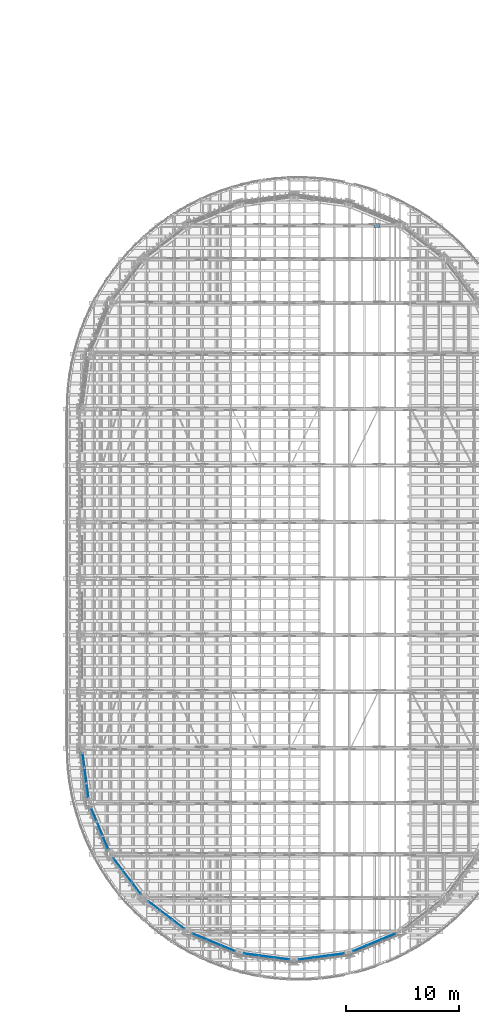
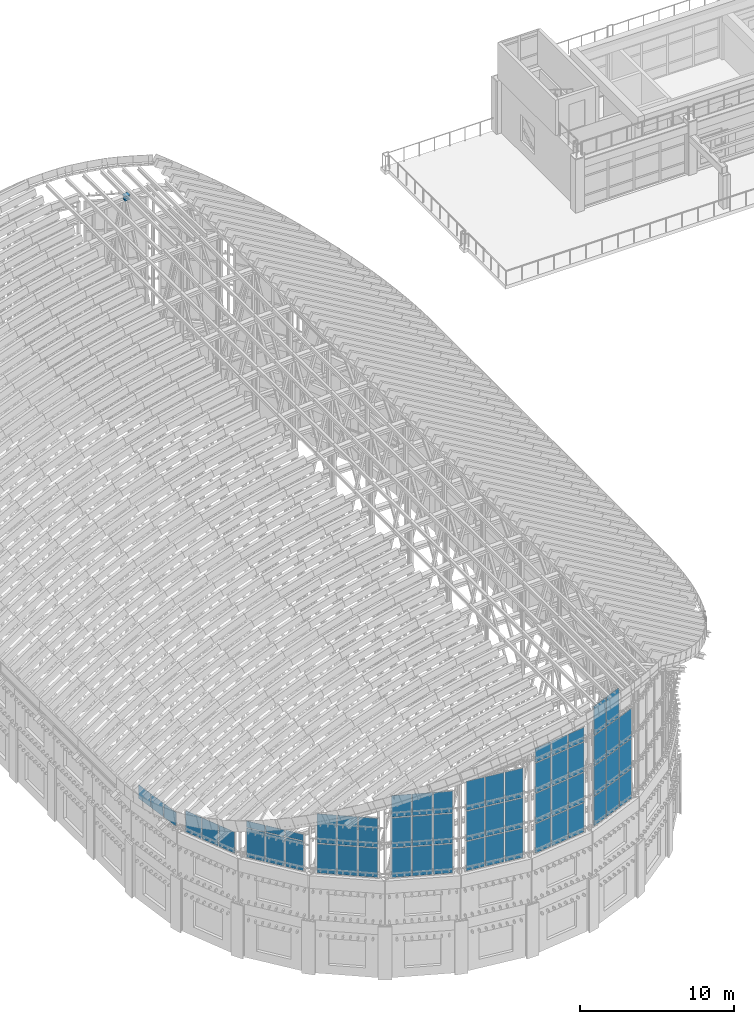
# One storey, part 46 of 105: 59 plates, 1 member, 8 elements without a shape of their own.
"""IFC4 building model written with IfcOpenShell, lengths in metres."""

import ifcopenshell
import ifcopenshell.guid

model = None  # the IFC model being written
_history = None  # IfcOwnerHistory: only IFC2X3 demands one
_inside = {}  # id of a spatial element -> (the spatial element, [elements in it])
_under = {}  # id of a project, library or spatial element -> (it, [spatial elements below it])
_declared = {}  # id of a project -> (the project, [libraries it declares])
_typed = {}  # id of a type object -> (the type object, [elements of that type])
_made_of = {}  # id of a material, layer set ... -> (it, [elements and type objects made of it])


def new_model(schema):
    """Start an empty IFC model of exactly this schema.

    Asked for "IFC4X3", IfcOpenShell would pick the latest addendum, in which some entities
    have other attributes; the version numbers below select the first issue.
    IFC2X3 requires an IfcOwnerHistory on every rooted entity: one is made here for all.
    """
    global model, _history
    if schema == "IFC4X3":
        model = ifcopenshell.file(schema_version=(4, 3, 0, 0))
    else:
        model = ifcopenshell.file(schema=schema)
    _inside.clear()
    _under.clear()
    _declared.clear()
    _typed.clear()
    _made_of.clear()
    _history = None
    if model.schema == "IFC2X3":
        org = make("IfcOrganization", Name="unknown")
        user = make(
            "IfcPersonAndOrganization",
            ThePerson=make("IfcPerson", FamilyName="unknown"),
            TheOrganization=org,
        )
        app = make(
            "IfcApplication",
            ApplicationDeveloper=org,
            Version="unknown",
            ApplicationFullName="unknown",
            ApplicationIdentifier="unknown",
        )
        _history = make(
            "IfcOwnerHistory",
            OwningUser=user,
            OwningApplication=app,
            ChangeAction="ADDED",
            CreationDate=0,
        )
    return model


def make(cls, **values):
    """One entity of the class cls with the attributes given. An attribute that is None is left unset."""
    return model.create_entity(
        cls, **{name: value for name, value in values.items() if value is not None}
    )


def rooted(cls, **values):
    """An entity with a GlobalId (a new one), such as an element, a storey or a relation."""
    return make(cls, GlobalId=ifcopenshell.guid.new(), OwnerHistory=_history, **values)


def si_unit(unit_type, name, prefix=None):
    """IfcSIUnit, for example si_unit("LENGTHUNIT", "METRE", prefix="MILLI")."""
    return make("IfcSIUnit", UnitType=unit_type, Prefix=prefix, Name=name)


def assignment(units):
    """IfcUnitAssignment: the units of a project."""
    return None if units is None else make("IfcUnitAssignment", Units=units)


def point(xyz):
    """IfcCartesianPoint."""
    return None if xyz is None else make("IfcCartesianPoint", Coordinates=xyz)


def direction(xyz):
    """IfcDirection."""
    return None if xyz is None else make("IfcDirection", DirectionRatios=xyz)


def frame(location, z_axis=None, x_axis=None):
    """IfcAxis2Placement3D, a coordinate frame: its origin and axes. An axis left out is left unset."""
    return make(
        "IfcAxis2Placement3D",
        Location=point(location),
        Axis=direction(z_axis),
        RefDirection=direction(x_axis),
    )


def frame_2d(location, x_axis=None):
    """IfcAxis2Placement2D, a coordinate frame in the plane: its origin and x axis."""
    return make(
        "IfcAxis2Placement2D", Location=point(location), RefDirection=direction(x_axis)
    )


def origin():
    """The frame at (0, 0, 0) with its axes left unset."""
    return frame((0.0, 0.0, 0.0))


def origin_2d():
    """The frame at (0, 0) in the plane with its x axis left unset."""
    return frame_2d((0.0, 0.0))


def place(relative_to, where):
    """IfcLocalPlacement: puts the frame where relative to a parent placement (None: the world)."""
    return make(
        "IfcLocalPlacement", PlacementRelTo=relative_to, RelativePlacement=where
    )


def context(
    kind, dimensions, precision=None, world=None, true_north=None, identifier=None
):
    """IfcGeometricRepresentationContext, for example the 3D "Model" context."""
    return make(
        "IfcGeometricRepresentationContext",
        ContextIdentifier=identifier,
        ContextType=kind,
        CoordinateSpaceDimension=dimensions,
        Precision=precision,
        WorldCoordinateSystem=world,
        TrueNorth=true_north,
    )


def subcontext(parent, identifier, kind, view, scale=None):
    """IfcGeometricRepresentationSubContext, for example "Body" below "Model"."""
    return make(
        "IfcGeometricRepresentationSubContext",
        ContextIdentifier=identifier,
        ContextType=kind,
        ParentContext=parent,
        TargetScale=scale,
        TargetView=view,
    )


def project(units=None, contexts=None):
    """IfcProject with its units and contexts."""
    return rooted(
        "IfcProject",
        Name="project",
        RepresentationContexts=contexts,
        UnitsInContext=assignment(units),
    )


def spatial(cls, under=None, at=None, **own):
    """A site, building, storey or space (cls), placed at a placement, below another one or the project."""
    s = rooted(cls, ObjectPlacement=at, **own)
    if under is not None:
        _under.setdefault(under.id(), (under, []))[1].append(s)
    return s


def profile(cls, at=None, kind="AREA", **sizes):
    """A parametric profile (cls). Its sizes go by their IFC names, for example OverallWidth=200.0."""
    return make(cls, ProfileType=kind, Position=at, **sizes)


def rectangle(**sizes):
    """IfcRectangleProfileDef."""
    return profile("IfcRectangleProfileDef", **sizes)


def i_section(**sizes):
    """IfcIShapeProfileDef."""
    return profile("IfcIShapeProfileDef", **sizes)


def extrude(swept, where, along, depth):
    """IfcExtrudedAreaSolid: the profile swept, set in the frame where, extruded along a direction by depth."""
    return make(
        "IfcExtrudedAreaSolid",
        SweptArea=swept,
        Position=where,
        ExtrudedDirection=direction(along),
        Depth=depth,
    )


def shape(context_of_items, identifier, shape_type, items):
    """IfcShapeRepresentation: the items that make up one representation, for example the "Body"."""
    return make(
        "IfcShapeRepresentation",
        ContextOfItems=context_of_items,
        RepresentationIdentifier=identifier,
        RepresentationType=shape_type,
        Items=items,
    )


def material(Name=None, Category=None):
    """IfcMaterial."""
    return make("IfcMaterial", Name=Name, Category=Category)


def layer(
    of_material, thickness, ventilated=None, Name=None, Category=None, Priority=None
):
    """IfcMaterialLayer: one layer of a wall or slab, of a material (None: an air gap)."""
    return make(
        "IfcMaterialLayer",
        Material=of_material,
        LayerThickness=thickness,
        IsVentilated=ventilated,
        Name=Name,
        Category=Category,
        Priority=Priority,
    )


def layer_set(layers, Name=None):
    """IfcMaterialLayerSet."""
    return make("IfcMaterialLayerSet", MaterialLayers=layers, LayerSetName=Name)


def material_profile(
    of_material, cross_section, Name=None, Category=None, Priority=None
):
    """IfcMaterialProfile: a cross section and its material."""
    return make(
        "IfcMaterialProfile",
        Name=Name,
        Material=of_material,
        Profile=cross_section,
        Priority=Priority,
        Category=Category,
    )


def profile_set(profiles, Name=None, composite=None):
    """IfcMaterialProfileSet."""
    return make(
        "IfcMaterialProfileSet",
        Name=Name,
        MaterialProfiles=profiles,
        CompositeProfile=composite,
    )


def made_of(thing, what):
    """Note that an element or type object is made of a material, layer set ...; save() writes the relation."""
    if what is not None:
        _made_of.setdefault(what.id(), (what, []))[1].append(thing)
    return thing


def type_object(cls, material=None, **own):
    """A type object (cls), such as IfcWallType, which elements share."""
    return made_of(rooted(cls, **own), material)


def element(
    cls,
    number,
    at=None,
    inside=None,
    cuts=None,
    type_object=None,
    material=None,
    context=None,
    identifier="Body",
    shape_type=None,
    held_by="IfcProductDefinitionShape",
    body=None,
    shapes=None,
    **own,
):
    """One element of the class cls, such as IfcWall. Its Tag is "e" and its number.

    at: its placement. inside: the storey or other place that contains it. cuts: it is an
    opening in that element (IfcRelVoidsElement). A single representation is given by context,
    identifier, shape_type and body (its items); several are given by shapes. held_by: the class
    of the entity that holds the representations. save() writes the other relations.
    """
    e = rooted(cls, Tag="e%d" % number, ObjectPlacement=at, **own)
    if body is not None:
        shapes = [shape(context, identifier, shape_type, body)]
    if shapes is not None:
        e.Representation = make(held_by, Representations=shapes)
    if inside is not None:
        _inside.setdefault(inside.id(), (inside, []))[1].append(e)
    if cuts is not None:
        rooted(
            "IfcRelVoidsElement", RelatingBuildingElement=cuts, RelatedOpeningElement=e
        )
    if type_object is not None:
        _typed.setdefault(type_object.id(), (type_object, []))[1].append(e)
    return made_of(e, material)


def aggregate(whole, parts):
    """IfcRelAggregates: a whole, such as a stair, and the parts it consists of."""
    return rooted("IfcRelAggregates", RelatingObject=whole, RelatedObjects=parts)


def save(model, path):
    """Write the relations noted so far, then the file.

    IfcRelAggregates (storeys below a building ...), IfcRelContainedInSpatialStructure (elements
    in a storey), IfcRelDefinesByType, IfcRelAssociatesMaterial and IfcRelDeclares: one each for
    every whole, place, type object, material and project.
    """
    for whole, parts in _under.values():
        aggregate(whole, parts)
    for where, things in _inside.values():
        rooted(
            "IfcRelContainedInSpatialStructure",
            RelatedElements=things,
            RelatingStructure=where,
        )
    for kind, things in _typed.values():
        rooted("IfcRelDefinesByType", RelatedObjects=things, RelatingType=kind)
    for what, things in _made_of.values():
        rooted("IfcRelAssociatesMaterial", RelatedObjects=things, RelatingMaterial=what)
    for by, libraries in _declared.values():
        rooted("IfcRelDeclares", RelatingContext=by, RelatedDefinitions=libraries)
    model.write(path)


model = new_model("IFC4")

# Units and contexts
model_context = context("Model", 3, precision=1e-05, world=origin(), true_north=direction((0.0, 1.0)))
body_context = subcontext(model_context, "Body", "Model", "MODEL_VIEW")
ifc_project = project(units=[si_unit("LENGTHUNIT", "METRE"), si_unit("AREAUNIT", "SQUARE_METRE"), si_unit("VOLUMEUNIT", "CUBIC_METRE"), si_unit("PLANEANGLEUNIT", "RADIAN"), si_unit("MASSUNIT", "GRAM", prefix="KILO")], contexts=[model_context])

# Site, building, storey
site_placement = place(None, origin())
site = spatial("IfcSite", under=ifc_project, at=site_placement, CompositionType="ELEMENT")
building_placement = place(site_placement, origin())
building = spatial("IfcBuilding", under=site, at=building_placement, Name="Wasatch Bagh Community Centre", CompositionType="ELEMENT")
storey_placement = place(building_placement, frame((0.0, 0.0, 16.800048828125)))
storey = spatial("IfcBuildingStorey", under=building, at=storey_placement, Name="L04", CompositionType="ELEMENT", Elevation=16.800048828125)

# Member
ifc_material_1 = material(Name="ASTM A992 Grade 50 steel", Category="steel")
ifc_material_profile = material_profile(ifc_material_1, i_section(OverallWidth=0.368408203125, OverallDepth=0.355712890625, WebThickness=0.01123046875, FlangeThickness=0.01806640625, at=origin_2d()), Name="W14x90")
ifc_profile_set = profile_set([ifc_material_profile], Name="ASTM A992 Grade 50 steel")
member_type = type_object("IfcMemberType", Name="W14x90 chord", PredefinedType="CHORD", material=ifc_profile_set)
member_placement = place(storey_placement, frame((43.132568359375, 81.238037109375, 17.918701171875), z_axis=(0.99696007093, 0.0, 0.077914164129), x_axis=(0.0, 1.0, 0.0)))
element("IfcMember", 1, at=member_placement, inside=storey, type_object=member_type, Name="MH.TN4.TC10", PredefinedType="CHORD", context=body_context, shape_type="SweptSolid", body=[
    extrude(i_section(OverallWidth=0.368408203125, OverallDepth=0.355712890625, WebThickness=0.01123046875, FlangeThickness=0.01806640625, at=origin_2d()), origin(), (0.0, 0.0, 1.0), 0.42919921875),
])

# Curtain wall, plates
ifc_material_2 = material(Name="Aluminium curtain wall frame with low-iron glass", Category="aluminium")
ifc_layer_1 = layer(ifc_material_2, 0.10009765625)
ifc_layer_set_1 = layer_set([ifc_layer_1], Name="Aluminium curtain wall frame with low-iron glass")
curtain_wall_type_1 = type_object("IfcCurtainWallType", Name="MH end screen curtain wall 1", PredefinedType="NOTDEFINED", material=ifc_layer_set_1)
curtain_wall_1_placement = place(storey_placement, origin())
curtain_wall_1 = element("IfcCurtainWall", 2, at=curtain_wall_1_placement, inside=storey, type_object=curtain_wall_type_1, Name="End screen 1", PredefinedType="NOTDEFINED")
ifc_material_3 = material(Name="Low-iron insulated glass", Category="glass")
ifc_layer_2 = layer(ifc_material_3, 0.028076171875)
ifc_layer_set_2 = layer_set([ifc_layer_2], Name="Low-iron insulated glass")
plate_type_1 = type_object("IfcPlateType", Name="MH end screen panel 28", PredefinedType="CURTAIN_PANEL", material=ifc_layer_set_2)
plate_1_placement = place(storey_placement, frame((17.39208984375, 33.9208984375, 7.760009765625), z_axis=(0.0, 0.0, 1.0), x_axis=(0.13052619222, -0.991444861374, 0.0)))
plate_1 = element("IfcPlate", 3, at=plate_1_placement, type_object=plate_type_1, Name="MH-CW1 panel 1.1", PredefinedType="CURTAIN_PANEL", context=body_context, shape_type="SweptSolid", body=[
    extrude(rectangle(XDim=1.283935546875, YDim=0.028076171875, at=origin_2d()), origin(), (0.0, 0.0, 1.0), 1.080078125),
])
plate_2_placement = place(storey_placement, frame((17.5693359375, 32.573486328125, 7.760009765625), z_axis=(0.0, 0.0, 1.0), x_axis=(0.13052619222, -0.991444861374, 0.0)))
plate_2 = element("IfcPlate", 4, at=plate_2_placement, type_object=plate_type_1, Name="MH-CW1 panel 2.1", PredefinedType="CURTAIN_PANEL", context=body_context, shape_type="SweptSolid", body=[
    extrude(rectangle(XDim=1.31396484375, YDim=0.028076171875, at=origin_2d()), origin(), (0.0, 0.0, 1.0), 1.080078125),
])

# Curtain wall, plate
ifc_layer_3 = layer(ifc_material_2, 0.10009765625)
ifc_layer_set_3 = layer_set([ifc_layer_3], Name="Aluminium curtain wall frame with low-iron glass")
curtain_wall_type_2 = type_object("IfcCurtainWallType", Name="MH end screen curtain wall 2", PredefinedType="NOTDEFINED", material=ifc_layer_set_3)
curtain_wall_2_placement = place(storey_placement, origin())
curtain_wall_2 = element("IfcCurtainWall", 5, at=curtain_wall_2_placement, inside=storey, type_object=curtain_wall_type_2, Name="End screen 2", PredefinedType="NOTDEFINED")
plate_3_placement = place(storey_placement, frame((18.825439453125, 27.885986328125, 7.759765625), z_axis=(0.0, 0.0, 1.0), x_axis=(0.382683432188, -0.923879532585, 0.0)))
plate_3 = element("IfcPlate", 6, at=plate_3_placement, type_object=plate_type_1, Name="MH-CW2 panel 2.1", PredefinedType="CURTAIN_PANEL", context=body_context, shape_type="SweptSolid", body=[
    extrude(rectangle(XDim=1.31396484375, YDim=0.028076171875, at=origin_2d()), origin(), (0.0, 0.0, 1.0), 1.679931640625),
])

# Curtain wall, plates
ifc_layer_4 = layer(ifc_material_2, 0.10009765625)
ifc_layer_set_4 = layer_set([ifc_layer_4], Name="Aluminium curtain wall frame with low-iron glass")
curtain_wall_type_3 = type_object("IfcCurtainWallType", Name="MH end screen curtain wall 3", PredefinedType="NOTDEFINED", material=ifc_layer_set_4)
curtain_wall_3_placement = place(storey_placement, origin())
curtain_wall_3 = element("IfcCurtainWall", 7, at=curtain_wall_3_placement, inside=storey, type_object=curtain_wall_type_3, Name="End screen 3", PredefinedType="NOTDEFINED")
plate_4_placement = place(storey_placement, frame((21.251953125, 23.683349609375, 7.760009765625), z_axis=(0.0, 0.0, 1.0), x_axis=(0.608761429036, -0.79335334027, 0.0)))
plate_4 = element("IfcPlate", 8, at=plate_4_placement, type_object=plate_type_1, Name="MH-CW3 panel 2.1", PredefinedType="CURTAIN_PANEL", context=body_context, shape_type="SweptSolid", body=[
    extrude(rectangle(XDim=1.31396484375, YDim=0.028076171875, at=origin_2d()), origin(), (0.0, 0.0, 1.0), 2.31005859375),
])
plate_5_placement = place(storey_placement, frame((21.251953125, 23.683349609375, 10.1298828125), z_axis=(0.0, 0.0, 1.0), x_axis=(0.608761429036, -0.79335334027, 0.0)))
plate_5 = element("IfcPlate", 9, at=plate_5_placement, type_object=plate_type_1, Name="MH-CW3 panel 2.2", PredefinedType="CURTAIN_PANEL", context=body_context, shape_type="SweptSolid", body=[
    extrude(rectangle(XDim=1.31396484375, YDim=0.028076171875, at=origin_2d()), origin(), (0.0, 0.0, 1.0), 0.510009765625),
])

# Curtain wall, plate
ifc_layer_5 = layer(ifc_material_2, 0.10009765625)
ifc_layer_set_5 = layer_set([ifc_layer_5], Name="Aluminium curtain wall frame with low-iron glass")
curtain_wall_type_4 = type_object("IfcCurtainWallType", Name="MH end screen curtain wall 4", PredefinedType="NOTDEFINED", material=ifc_layer_set_5)
curtain_wall_4_placement = place(storey_placement, origin())
curtain_wall_4 = element("IfcCurtainWall", 10, at=curtain_wall_4_placement, inside=storey, type_object=curtain_wall_type_4, Name="End screen 4", PredefinedType="NOTDEFINED")
plate_6_placement = place(storey_placement, frame((24.683349609375, 20.251953125, 7.760009765625), z_axis=(0.0, 0.0, 1.0), x_axis=(0.79335334027, -0.608761429036, 0.0)))
plate_6 = element("IfcPlate", 11, at=plate_6_placement, type_object=plate_type_1, Name="MH-CW4 panel 2.1", PredefinedType="CURTAIN_PANEL", context=body_context, shape_type="SweptSolid", body=[
    extrude(rectangle(XDim=1.31396484375, YDim=0.028076171875, at=origin_2d()), origin(), (0.0, 0.0, 1.0), 2.31005859375),
])

# Curtain wall, plates
ifc_layer_6 = layer(ifc_material_2, 0.10009765625)
ifc_layer_set_6 = layer_set([ifc_layer_6], Name="Aluminium curtain wall frame with low-iron glass")
curtain_wall_type_5 = type_object("IfcCurtainWallType", Name="MH end screen curtain wall 6", PredefinedType="NOTDEFINED", material=ifc_layer_set_6)
curtain_wall_5_placement = place(storey_placement, origin())
curtain_wall_5 = element("IfcCurtainWall", 12, at=curtain_wall_5_placement, inside=storey, type_object=curtain_wall_type_5, Name="End screen 6", PredefinedType="NOTDEFINED")
plate_7_placement = place(storey_placement, frame((32.226318359375, 16.746826171875, 7.760009765625), z_axis=(0.0, 0.0, 1.0), x_axis=(0.991444861374, -0.13052619222, 0.0)))
plate_7 = element("IfcPlate", 13, at=plate_7_placement, type_object=plate_type_1, Name="MH-CW6 panel 1.1", PredefinedType="CURTAIN_PANEL", context=body_context, shape_type="SweptSolid", body=[
    extrude(rectangle(XDim=1.283935546875, YDim=0.028076171875, at=origin_2d()), origin(), (0.0, 0.0, 1.0), 2.31005859375),
])
plate_8_placement = place(storey_placement, frame((32.226318359375, 16.746826171875, 10.1298828125), z_axis=(0.0, 0.0, 1.0), x_axis=(0.991444861374, -0.13052619222, 0.0)))
plate_8 = element("IfcPlate", 14, at=plate_8_placement, type_object=plate_type_1, Name="MH-CW6 panel 1.2", PredefinedType="CURTAIN_PANEL", context=body_context, shape_type="SweptSolid", body=[
    extrude(rectangle(XDim=1.283935546875, YDim=0.028076171875, at=origin_2d()), origin(), (0.0, 0.0, 1.0), 2.340087890625),
])
plate_9_placement = place(storey_placement, frame((32.226318359375, 16.746826171875, 12.530029296875), z_axis=(0.0, 0.0, 1.0), x_axis=(0.991444861374, -0.13052619222, 0.0)))
plate_9 = element("IfcPlate", 15, at=plate_9_placement, type_object=plate_type_1, Name="MH-CW6 panel 1.3", PredefinedType="CURTAIN_PANEL", context=body_context, shape_type="SweptSolid", body=[
    extrude(rectangle(XDim=1.283935546875, YDim=0.028076171875, at=origin_2d()), origin(), (0.0, 0.0, 1.0), 2.31005859375),
])
plate_10_placement = place(storey_placement, frame((33.573486328125, 16.5693359375, 7.760009765625), z_axis=(0.0, 0.0, 1.0), x_axis=(0.991444861374, -0.13052619222, 0.0)))
plate_10 = element("IfcPlate", 16, at=plate_10_placement, type_object=plate_type_1, Name="MH-CW6 panel 2.1", PredefinedType="CURTAIN_PANEL", context=body_context, shape_type="SweptSolid", body=[
    extrude(rectangle(XDim=1.31396484375, YDim=0.028076171875, at=origin_2d()), origin(), (0.0, 0.0, 1.0), 2.31005859375),
])
plate_11_placement = place(storey_placement, frame((33.573486328125, 16.5693359375, 10.1298828125), z_axis=(0.0, 0.0, 1.0), x_axis=(0.991444861374, -0.13052619222, 0.0)))
plate_11 = element("IfcPlate", 17, at=plate_11_placement, type_object=plate_type_1, Name="MH-CW6 panel 2.2", PredefinedType="CURTAIN_PANEL", context=body_context, shape_type="SweptSolid", body=[
    extrude(rectangle(XDim=1.31396484375, YDim=0.028076171875, at=origin_2d()), origin(), (0.0, 0.0, 1.0), 2.340087890625),
])
plate_12_placement = place(storey_placement, frame((33.573486328125, 16.5693359375, 12.530029296875), z_axis=(0.0, 0.0, 1.0), x_axis=(0.991444861374, -0.13052619222, 0.0)))
plate_12 = element("IfcPlate", 18, at=plate_12_placement, type_object=plate_type_1, Name="MH-CW6 panel 2.3", PredefinedType="CURTAIN_PANEL", context=body_context, shape_type="SweptSolid", body=[
    extrude(rectangle(XDim=1.31396484375, YDim=0.028076171875, at=origin_2d()), origin(), (0.0, 0.0, 1.0), 2.31005859375),
])
plate_13_placement = place(storey_placement, frame((34.9208984375, 16.39208984375, 7.760009765625), z_axis=(0.0, 0.0, 1.0), x_axis=(0.991444861374, -0.13052619222, 0.0)))
plate_13 = element("IfcPlate", 19, at=plate_13_placement, type_object=plate_type_1, Name="MH-CW6 panel 3.1", PredefinedType="CURTAIN_PANEL", context=body_context, shape_type="SweptSolid", body=[
    extrude(rectangle(XDim=1.283935546875, YDim=0.028076171875, at=origin_2d()), origin(), (0.0, 0.0, 1.0), 2.31005859375),
])
plate_14_placement = place(storey_placement, frame((34.9208984375, 16.39208984375, 10.1298828125), z_axis=(0.0, 0.0, 1.0), x_axis=(0.991444861374, -0.13052619222, 0.0)))
plate_14 = element("IfcPlate", 20, at=plate_14_placement, type_object=plate_type_1, Name="MH-CW6 panel 3.2", PredefinedType="CURTAIN_PANEL", context=body_context, shape_type="SweptSolid", body=[
    extrude(rectangle(XDim=1.283935546875, YDim=0.028076171875, at=origin_2d()), origin(), (0.0, 0.0, 1.0), 2.340087890625),
])
plate_15_placement = place(storey_placement, frame((34.9208984375, 16.39208984375, 12.530029296875), z_axis=(0.0, 0.0, 1.0), x_axis=(0.991444861374, -0.13052619222, 0.0)))
plate_15 = element("IfcPlate", 21, at=plate_15_placement, type_object=plate_type_1, Name="MH-CW6 panel 3.3", PredefinedType="CURTAIN_PANEL", context=body_context, shape_type="SweptSolid", body=[
    extrude(rectangle(XDim=1.283935546875, YDim=0.028076171875, at=origin_2d()), origin(), (0.0, 0.0, 1.0), 2.31005859375),
])
aggregate(curtain_wall_5, [plate_7, plate_8, plate_9, plate_10, plate_11, plate_12, plate_13, plate_14, plate_15])

ifc_layer_7 = layer(ifc_material_2, 0.10009765625)
ifc_layer_set_7 = layer_set([ifc_layer_7], Name="Aluminium curtain wall frame with low-iron glass")
curtain_wall_type_6 = type_object("IfcCurtainWallType", Name="MH end screen curtain wall 7", PredefinedType="NOTDEFINED", material=ifc_layer_set_7)
curtain_wall_6_placement = place(storey_placement, origin())
curtain_wall_6 = element("IfcCurtainWall", 22, at=curtain_wall_6_placement, inside=storey, type_object=curtain_wall_type_6, Name="End screen 7", PredefinedType="NOTDEFINED")
plate_16_placement = place(storey_placement, frame((37.0791015625, 16.39208984375, 7.760009765625), z_axis=(0.0, 0.0, 1.0), x_axis=(0.991444861374, 0.13052619222, 0.0)))
plate_16 = element("IfcPlate", 23, at=plate_16_placement, type_object=plate_type_1, Name="MH-CW7 panel 1.1", PredefinedType="CURTAIN_PANEL", context=body_context, shape_type="SweptSolid", body=[
    extrude(rectangle(XDim=1.283935546875, YDim=0.028076171875, at=origin_2d()), origin(), (0.0, 0.0, 1.0), 2.31005859375),
])
plate_17_placement = place(storey_placement, frame((37.0791015625, 16.39208984375, 10.1298828125), z_axis=(0.0, 0.0, 1.0), x_axis=(0.991444861374, 0.13052619222, 0.0)))
plate_17 = element("IfcPlate", 24, at=plate_17_placement, type_object=plate_type_1, Name="MH-CW7 panel 1.2", PredefinedType="CURTAIN_PANEL", context=body_context, shape_type="SweptSolid", body=[
    extrude(rectangle(XDim=1.283935546875, YDim=0.028076171875, at=origin_2d()), origin(), (0.0, 0.0, 1.0), 2.340087890625),
])
plate_18_placement = place(storey_placement, frame((37.0791015625, 16.39208984375, 12.52978515625), z_axis=(0.0, 0.0, 1.0), x_axis=(0.991444861374, 0.13052619222, 0.0)))
plate_18 = element("IfcPlate", 25, at=plate_18_placement, type_object=plate_type_1, Name="MH-CW7 panel 1.3", PredefinedType="CURTAIN_PANEL", context=body_context, shape_type="SweptSolid", body=[
    extrude(rectangle(XDim=1.283935546875, YDim=0.028076171875, at=origin_2d()), origin(), (0.0, 0.0, 1.0), 2.340087890625),
])
plate_19_placement = place(storey_placement, frame((37.0791015625, 16.39208984375, 14.9296875), z_axis=(0.0, 0.0, 1.0), x_axis=(0.991444861374, 0.13052619222, 0.0)))
plate_19 = element("IfcPlate", 26, at=plate_19_placement, type_object=plate_type_1, Name="MH-CW7 panel 1.4", PredefinedType="CURTAIN_PANEL", context=body_context, shape_type="SweptSolid", body=[
    extrude(rectangle(XDim=1.283935546875, YDim=0.028076171875, at=origin_2d()), origin(), (0.0, 0.0, 1.0), 1.110107421875),
])
plate_20_placement = place(storey_placement, frame((38.426513671875, 16.5693359375, 7.760009765625), z_axis=(0.0, 0.0, 1.0), x_axis=(0.991444861374, 0.13052619222, 0.0)))
plate_20 = element("IfcPlate", 27, at=plate_20_placement, type_object=plate_type_1, Name="MH-CW7 panel 2.1", PredefinedType="CURTAIN_PANEL", context=body_context, shape_type="SweptSolid", body=[
    extrude(rectangle(XDim=1.31396484375, YDim=0.028076171875, at=origin_2d()), origin(), (0.0, 0.0, 1.0), 2.31005859375),
])
plate_21_placement = place(storey_placement, frame((38.426513671875, 16.5693359375, 10.1298828125), z_axis=(0.0, 0.0, 1.0), x_axis=(0.991444861374, 0.13052619222, 0.0)))
plate_21 = element("IfcPlate", 28, at=plate_21_placement, type_object=plate_type_1, Name="MH-CW7 panel 2.2", PredefinedType="CURTAIN_PANEL", context=body_context, shape_type="SweptSolid", body=[
    extrude(rectangle(XDim=1.31396484375, YDim=0.028076171875, at=origin_2d()), origin(), (0.0, 0.0, 1.0), 2.340087890625),
])
plate_22_placement = place(storey_placement, frame((38.426513671875, 16.5693359375, 12.52978515625), z_axis=(0.0, 0.0, 1.0), x_axis=(0.991444861374, 0.13052619222, 0.0)))
plate_22 = element("IfcPlate", 29, at=plate_22_placement, type_object=plate_type_1, Name="MH-CW7 panel 2.3", PredefinedType="CURTAIN_PANEL", context=body_context, shape_type="SweptSolid", body=[
    extrude(rectangle(XDim=1.31396484375, YDim=0.028076171875, at=origin_2d()), origin(), (0.0, 0.0, 1.0), 2.340087890625),
])
plate_23_placement = place(storey_placement, frame((38.426513671875, 16.5693359375, 14.9296875), z_axis=(0.0, 0.0, 1.0), x_axis=(0.991444861374, 0.13052619222, 0.0)))
plate_23 = element("IfcPlate", 30, at=plate_23_placement, type_object=plate_type_1, Name="MH-CW7 panel 2.4", PredefinedType="CURTAIN_PANEL", context=body_context, shape_type="SweptSolid", body=[
    extrude(rectangle(XDim=1.31396484375, YDim=0.028076171875, at=origin_2d()), origin(), (0.0, 0.0, 1.0), 1.110107421875),
])
plate_24_placement = place(storey_placement, frame((39.773681640625, 16.746826171875, 7.760009765625), z_axis=(0.0, 0.0, 1.0), x_axis=(0.991444861374, 0.13052619222, 0.0)))
plate_24 = element("IfcPlate", 31, at=plate_24_placement, type_object=plate_type_1, Name="MH-CW7 panel 3.1", PredefinedType="CURTAIN_PANEL", context=body_context, shape_type="SweptSolid", body=[
    extrude(rectangle(XDim=1.283935546875, YDim=0.028076171875, at=origin_2d()), origin(), (0.0, 0.0, 1.0), 2.31005859375),
])
plate_25_placement = place(storey_placement, frame((39.773681640625, 16.746826171875, 10.1298828125), z_axis=(0.0, 0.0, 1.0), x_axis=(0.991444861374, 0.13052619222, 0.0)))
plate_25 = element("IfcPlate", 32, at=plate_25_placement, type_object=plate_type_1, Name="MH-CW7 panel 3.2", PredefinedType="CURTAIN_PANEL", context=body_context, shape_type="SweptSolid", body=[
    extrude(rectangle(XDim=1.283935546875, YDim=0.028076171875, at=origin_2d()), origin(), (0.0, 0.0, 1.0), 2.340087890625),
])
plate_26_placement = place(storey_placement, frame((39.773681640625, 16.746826171875, 12.52978515625), z_axis=(0.0, 0.0, 1.0), x_axis=(0.991444861374, 0.13052619222, 0.0)))
plate_26 = element("IfcPlate", 33, at=plate_26_placement, type_object=plate_type_1, Name="MH-CW7 panel 3.3", PredefinedType="CURTAIN_PANEL", context=body_context, shape_type="SweptSolid", body=[
    extrude(rectangle(XDim=1.283935546875, YDim=0.028076171875, at=origin_2d()), origin(), (0.0, 0.0, 1.0), 2.340087890625),
])
plate_27_placement = place(storey_placement, frame((39.773681640625, 16.746826171875, 14.9296875), z_axis=(0.0, 0.0, 1.0), x_axis=(0.991444861374, 0.13052619222, 0.0)))
plate_27 = element("IfcPlate", 34, at=plate_27_placement, type_object=plate_type_1, Name="MH-CW7 panel 3.4", PredefinedType="CURTAIN_PANEL", context=body_context, shape_type="SweptSolid", body=[
    extrude(rectangle(XDim=1.283935546875, YDim=0.028076171875, at=origin_2d()), origin(), (0.0, 0.0, 1.0), 1.110107421875),
])
aggregate(curtain_wall_6, [plate_16, plate_17, plate_18, plate_19, plate_20, plate_21, plate_22, plate_23, plate_24, plate_25, plate_26, plate_27])

# Plate
ifc_material_4 = material(Name="Insulated aluminium spandrel panel", Category="aluminium")
ifc_layer_8 = layer(ifc_material_4, 0.0400390625)
ifc_layer_set_8 = layer_set([ifc_layer_8], Name="Insulated aluminium spandrel panel")
plate_type_2 = type_object("IfcPlateType", Name="MH end screen spandrel panel 40", PredefinedType="CURTAIN_PANEL", material=ifc_layer_set_8)
plate_28_placement = place(storey_placement, frame((17.746826171875, 31.226318359375, 7.760009765625), z_axis=(0.0, 0.0, 1.0), x_axis=(0.13052619222, -0.991444861374, 0.0)))
plate_28 = element("IfcPlate", 35, at=plate_28_placement, type_object=plate_type_2, Name="MH-CW1 spandrel 3.1", PredefinedType="CURTAIN_PANEL", context=body_context, shape_type="SweptSolid", body=[
    extrude(rectangle(XDim=1.283935546875, YDim=0.028076171875, at=origin_2d()), origin(), (0.0, 0.0, 1.0), 1.080078125),
])

aggregate(curtain_wall_1, [plate_1, plate_2, plate_28])

plate_29_placement = place(storey_placement, frame((18.305419921875, 29.1416015625, 7.759765625), z_axis=(0.0, 0.0, 1.0), x_axis=(0.382683432188, -0.923879532585, 0.0)))
plate_29 = element("IfcPlate", 36, at=plate_29_placement, type_object=plate_type_2, Name="MH-CW2 spandrel 1.1", PredefinedType="CURTAIN_PANEL", context=body_context, shape_type="SweptSolid", body=[
    extrude(rectangle(XDim=1.283935546875, YDim=0.028076171875, at=origin_2d()), origin(), (0.0, 0.0, 1.0), 1.679931640625),
])

plate_30_placement = place(storey_placement, frame((19.345458984375, 26.630615234375, 7.759765625), z_axis=(0.0, 0.0, 1.0), x_axis=(0.382683432188, -0.923879532585, 0.0)))
plate_30 = element("IfcPlate", 37, at=plate_30_placement, type_object=plate_type_2, Name="MH-CW2 spandrel 3.1", PredefinedType="CURTAIN_PANEL", context=body_context, shape_type="SweptSolid", body=[
    extrude(rectangle(XDim=1.283935546875, YDim=0.028076171875, at=origin_2d()), origin(), (0.0, 0.0, 1.0), 1.679931640625),
])

aggregate(curtain_wall_2, [plate_29, plate_3, plate_30])

plate_31_placement = place(storey_placement, frame((20.424560546875, 24.761474609375, 7.760009765625), z_axis=(0.0, 0.0, 1.0), x_axis=(0.608761429036, -0.79335334027, 0.0)))
plate_31 = element("IfcPlate", 38, at=plate_31_placement, type_object=plate_type_2, Name="MH-CW3 spandrel 1.1", PredefinedType="CURTAIN_PANEL", context=body_context, shape_type="SweptSolid", body=[
    extrude(rectangle(XDim=1.283935546875, YDim=0.028076171875, at=origin_2d()), origin(), (0.0, 0.0, 1.0), 2.31005859375),
])

plate_32_placement = place(storey_placement, frame((20.424560546875, 24.761474609375, 10.1298828125), z_axis=(0.0, 0.0, 1.0), x_axis=(0.608761429036, -0.79335334027, 0.0)))
plate_32 = element("IfcPlate", 39, at=plate_32_placement, type_object=plate_type_2, Name="MH-CW3 spandrel 1.2", PredefinedType="CURTAIN_PANEL", context=body_context, shape_type="SweptSolid", body=[
    extrude(rectangle(XDim=1.283935546875, YDim=0.028076171875, at=origin_2d()), origin(), (0.0, 0.0, 1.0), 0.510009765625),
])

plate_33_placement = place(storey_placement, frame((22.0791015625, 22.605224609375, 7.760009765625), z_axis=(0.0, 0.0, 1.0), x_axis=(0.608761429036, -0.79335334027, 0.0)))
plate_33 = element("IfcPlate", 40, at=plate_33_placement, type_object=plate_type_2, Name="MH-CW3 spandrel 3.1", PredefinedType="CURTAIN_PANEL", context=body_context, shape_type="SweptSolid", body=[
    extrude(rectangle(XDim=1.283935546875, YDim=0.028076171875, at=origin_2d()), origin(), (0.0, 0.0, 1.0), 2.31005859375),
])

plate_34_placement = place(storey_placement, frame((22.0791015625, 22.605224609375, 10.1298828125), z_axis=(0.0, 0.0, 1.0), x_axis=(0.608761429036, -0.79335334027, 0.0)))
plate_34 = element("IfcPlate", 41, at=plate_34_placement, type_object=plate_type_2, Name="MH-CW3 spandrel 3.2", PredefinedType="CURTAIN_PANEL", context=body_context, shape_type="SweptSolid", body=[
    extrude(rectangle(XDim=1.283935546875, YDim=0.028076171875, at=origin_2d()), origin(), (0.0, 0.0, 1.0), 0.510009765625),
])

aggregate(curtain_wall_3, [plate_31, plate_32, plate_4, plate_5, plate_33, plate_34])

plate_35_placement = place(storey_placement, frame((23.605224609375, 21.0791015625, 7.760009765625), z_axis=(0.0, 0.0, 1.0), x_axis=(0.79335334027, -0.608761429036, 0.0)))
plate_35 = element("IfcPlate", 42, at=plate_35_placement, type_object=plate_type_2, Name="MH-CW4 spandrel 1.1", PredefinedType="CURTAIN_PANEL", context=body_context, shape_type="SweptSolid", body=[
    extrude(rectangle(XDim=1.283935546875, YDim=0.028076171875, at=origin_2d()), origin(), (0.0, 0.0, 1.0), 2.31005859375),
])

plate_36_placement = place(storey_placement, frame((23.605224609375, 21.0791015625, 10.1298828125), z_axis=(0.0, 0.0, 1.0), x_axis=(0.79335334027, -0.608761429036, 0.0)))
plate_36 = element("IfcPlate", 43, at=plate_36_placement, type_object=plate_type_2, Name="MH-CW4 spandrel 1.2", PredefinedType="CURTAIN_PANEL", context=body_context, shape_type="SweptSolid", body=[
    extrude(rectangle(XDim=1.283935546875, YDim=0.028076171875, at=origin_2d()), origin(), (0.0, 0.0, 1.0), 2.31005859375),
])

plate_37_placement = place(storey_placement, frame((24.683349609375, 20.251953125, 10.1298828125), z_axis=(0.0, 0.0, 1.0), x_axis=(0.79335334027, -0.608761429036, 0.0)))
plate_37 = element("IfcPlate", 44, at=plate_37_placement, type_object=plate_type_2, Name="MH-CW4 spandrel 2.2", PredefinedType="CURTAIN_PANEL", context=body_context, shape_type="SweptSolid", body=[
    extrude(rectangle(XDim=1.31396484375, YDim=0.028076171875, at=origin_2d()), origin(), (0.0, 0.0, 1.0), 2.31005859375),
])

plate_38_placement = place(storey_placement, frame((25.761474609375, 19.424560546875, 7.760009765625), z_axis=(0.0, 0.0, 1.0), x_axis=(0.79335334027, -0.608761429036, 0.0)))
plate_38 = element("IfcPlate", 45, at=plate_38_placement, type_object=plate_type_2, Name="MH-CW4 spandrel 3.1", PredefinedType="CURTAIN_PANEL", context=body_context, shape_type="SweptSolid", body=[
    extrude(rectangle(XDim=1.283935546875, YDim=0.028076171875, at=origin_2d()), origin(), (0.0, 0.0, 1.0), 2.31005859375),
])

plate_39_placement = place(storey_placement, frame((25.761474609375, 19.424560546875, 10.1298828125), z_axis=(0.0, 0.0, 1.0), x_axis=(0.79335334027, -0.608761429036, 0.0)))
plate_39 = element("IfcPlate", 46, at=plate_39_placement, type_object=plate_type_2, Name="MH-CW4 spandrel 3.2", PredefinedType="CURTAIN_PANEL", context=body_context, shape_type="SweptSolid", body=[
    extrude(rectangle(XDim=1.283935546875, YDim=0.028076171875, at=origin_2d()), origin(), (0.0, 0.0, 1.0), 2.31005859375),
])

aggregate(curtain_wall_4, [plate_35, plate_36, plate_6, plate_37, plate_38, plate_39])

# Curtain wall, plates
ifc_layer_9 = layer(ifc_material_2, 0.10009765625)
ifc_layer_set_9 = layer_set([ifc_layer_9], Name="Aluminium curtain wall frame with low-iron glass")
curtain_wall_type_7 = type_object("IfcCurtainWallType", Name="MH end screen curtain wall 5", PredefinedType="NOTDEFINED", material=ifc_layer_set_9)
curtain_wall_7_placement = place(storey_placement, origin())
curtain_wall_7 = element("IfcCurtainWall", 47, at=curtain_wall_7_placement, inside=storey, type_object=curtain_wall_type_7, Name="End screen 5", PredefinedType="NOTDEFINED")
plate_40_placement = place(storey_placement, frame((27.630615234375, 18.345458984375, 7.760009765625), z_axis=(0.0, 0.0, 1.0), x_axis=(0.923879532585, -0.382683432188, 0.0)))
plate_40 = element("IfcPlate", 48, at=plate_40_placement, type_object=plate_type_2, Name="MH-CW5 spandrel 1.1", PredefinedType="CURTAIN_PANEL", context=body_context, shape_type="SweptSolid", body=[
    extrude(rectangle(XDim=1.283935546875, YDim=0.028076171875, at=origin_2d()), origin(), (0.0, 0.0, 1.0), 2.31005859375),
])
plate_41_placement = place(storey_placement, frame((27.630615234375, 18.345458984375, 10.1298828125), z_axis=(0.0, 0.0, 1.0), x_axis=(0.923879532585, -0.382683432188, 0.0)))
plate_41 = element("IfcPlate", 49, at=plate_41_placement, type_object=plate_type_2, Name="MH-CW5 spandrel 1.2", PredefinedType="CURTAIN_PANEL", context=body_context, shape_type="SweptSolid", body=[
    extrude(rectangle(XDim=1.283935546875, YDim=0.028076171875, at=origin_2d()), origin(), (0.0, 0.0, 1.0), 2.340087890625),
])
plate_42_placement = place(storey_placement, frame((27.630615234375, 18.345458984375, 12.530029296875), z_axis=(0.0, 0.0, 1.0), x_axis=(0.923879532585, -0.382683432188, 0.0)))
plate_42 = element("IfcPlate", 50, at=plate_42_placement, type_object=plate_type_2, Name="MH-CW5 spandrel 1.3", PredefinedType="CURTAIN_PANEL", context=body_context, shape_type="SweptSolid", body=[
    extrude(rectangle(XDim=1.283935546875, YDim=0.028076171875, at=origin_2d()), origin(), (0.0, 0.0, 1.0), 1.7099609375),
])
plate_43_placement = place(storey_placement, frame((28.885986328125, 17.825439453125, 7.760009765625), z_axis=(0.0, 0.0, 1.0), x_axis=(0.923879532585, -0.382683432188, 0.0)))
plate_43 = element("IfcPlate", 51, at=plate_43_placement, type_object=plate_type_2, Name="MH-CW5 spandrel 2.1", PredefinedType="CURTAIN_PANEL", context=body_context, shape_type="SweptSolid", body=[
    extrude(rectangle(XDim=1.31396484375, YDim=0.028076171875, at=origin_2d()), origin(), (0.0, 0.0, 1.0), 2.31005859375),
])
plate_44_placement = place(storey_placement, frame((28.885986328125, 17.825439453125, 10.1298828125), z_axis=(0.0, 0.0, 1.0), x_axis=(0.923879532585, -0.382683432188, 0.0)))
plate_44 = element("IfcPlate", 52, at=plate_44_placement, type_object=plate_type_2, Name="MH-CW5 spandrel 2.2", PredefinedType="CURTAIN_PANEL", context=body_context, shape_type="SweptSolid", body=[
    extrude(rectangle(XDim=1.31396484375, YDim=0.028076171875, at=origin_2d()), origin(), (0.0, 0.0, 1.0), 2.340087890625),
])
plate_45_placement = place(storey_placement, frame((28.885986328125, 17.825439453125, 12.530029296875), z_axis=(0.0, 0.0, 1.0), x_axis=(0.923879532585, -0.382683432188, 0.0)))
plate_45 = element("IfcPlate", 53, at=plate_45_placement, type_object=plate_type_2, Name="MH-CW5 spandrel 2.3", PredefinedType="CURTAIN_PANEL", context=body_context, shape_type="SweptSolid", body=[
    extrude(rectangle(XDim=1.31396484375, YDim=0.028076171875, at=origin_2d()), origin(), (0.0, 0.0, 1.0), 1.7099609375),
])
plate_46_placement = place(storey_placement, frame((30.1416015625, 17.305419921875, 7.760009765625), z_axis=(0.0, 0.0, 1.0), x_axis=(0.923879532585, -0.382683432188, 0.0)))
plate_46 = element("IfcPlate", 54, at=plate_46_placement, type_object=plate_type_2, Name="MH-CW5 spandrel 3.1", PredefinedType="CURTAIN_PANEL", context=body_context, shape_type="SweptSolid", body=[
    extrude(rectangle(XDim=1.283935546875, YDim=0.028076171875, at=origin_2d()), origin(), (0.0, 0.0, 1.0), 2.31005859375),
])
plate_47_placement = place(storey_placement, frame((30.1416015625, 17.305419921875, 10.1298828125), z_axis=(0.0, 0.0, 1.0), x_axis=(0.923879532585, -0.382683432188, 0.0)))
plate_47 = element("IfcPlate", 55, at=plate_47_placement, type_object=plate_type_2, Name="MH-CW5 spandrel 3.2", PredefinedType="CURTAIN_PANEL", context=body_context, shape_type="SweptSolid", body=[
    extrude(rectangle(XDim=1.283935546875, YDim=0.028076171875, at=origin_2d()), origin(), (0.0, 0.0, 1.0), 2.340087890625),
])
plate_48_placement = place(storey_placement, frame((30.1416015625, 17.305419921875, 12.530029296875), z_axis=(0.0, 0.0, 1.0), x_axis=(0.923879532585, -0.382683432188, 0.0)))
plate_48 = element("IfcPlate", 56, at=plate_48_placement, type_object=plate_type_2, Name="MH-CW5 spandrel 3.3", PredefinedType="CURTAIN_PANEL", context=body_context, shape_type="SweptSolid", body=[
    extrude(rectangle(XDim=1.283935546875, YDim=0.028076171875, at=origin_2d()), origin(), (0.0, 0.0, 1.0), 1.7099609375),
])
aggregate(curtain_wall_7, [plate_40, plate_41, plate_42, plate_43, plate_44, plate_45, plate_46, plate_47, plate_48])

ifc_layer_10 = layer(ifc_material_2, 0.10009765625)
ifc_layer_set_10 = layer_set([ifc_layer_10], Name="Aluminium curtain wall frame with low-iron glass")
curtain_wall_type_8 = type_object("IfcCurtainWallType", Name="MH end screen curtain wall 8", PredefinedType="NOTDEFINED", material=ifc_layer_set_10)
curtain_wall_8_placement = place(storey_placement, origin())
curtain_wall_8 = element("IfcCurtainWall", 57, at=curtain_wall_8_placement, inside=storey, type_object=curtain_wall_type_8, Name="End screen 8", PredefinedType="NOTDEFINED")
plate_49_placement = place(storey_placement, frame((41.8583984375, 17.305419921875, 7.760009765625), z_axis=(0.0, 0.0, 1.0), x_axis=(0.923879532585, 0.382683432188, 0.0)))
plate_49 = element("IfcPlate", 58, at=plate_49_placement, type_object=plate_type_2, Name="MH-CW8 spandrel 1.1", PredefinedType="CURTAIN_PANEL", context=body_context, shape_type="SweptSolid", body=[
    extrude(rectangle(XDim=1.283935546875, YDim=0.028076171875, at=origin_2d()), origin(), (0.0, 0.0, 1.0), 2.31005859375),
])
plate_50_placement = place(storey_placement, frame((41.8583984375, 17.305419921875, 10.1298828125), z_axis=(0.0, 0.0, 1.0), x_axis=(0.923879532585, 0.382683432188, 0.0)))
plate_50 = element("IfcPlate", 59, at=plate_50_placement, type_object=plate_type_2, Name="MH-CW8 spandrel 1.2", PredefinedType="CURTAIN_PANEL", context=body_context, shape_type="SweptSolid", body=[
    extrude(rectangle(XDim=1.283935546875, YDim=0.028076171875, at=origin_2d()), origin(), (0.0, 0.0, 1.0), 2.340087890625),
])
plate_51_placement = place(storey_placement, frame((41.8583984375, 17.305419921875, 12.52978515625), z_axis=(0.0, 0.0, 1.0), x_axis=(0.923879532585, 0.382683432188, 0.0)))
plate_51 = element("IfcPlate", 60, at=plate_51_placement, type_object=plate_type_2, Name="MH-CW8 spandrel 1.3", PredefinedType="CURTAIN_PANEL", context=body_context, shape_type="SweptSolid", body=[
    extrude(rectangle(XDim=1.283935546875, YDim=0.028076171875, at=origin_2d()), origin(), (0.0, 0.0, 1.0), 2.340087890625),
])
plate_52_placement = place(storey_placement, frame((41.8583984375, 17.305419921875, 14.929931640625), z_axis=(0.0, 0.0, 1.0), x_axis=(0.923879532585, 0.382683432188, 0.0)))
plate_52 = element("IfcPlate", 61, at=plate_52_placement, type_object=plate_type_2, Name="MH-CW8 spandrel 1.4", PredefinedType="CURTAIN_PANEL", context=body_context, shape_type="SweptSolid", body=[
    extrude(rectangle(XDim=1.283935546875, YDim=0.028076171875, at=origin_2d()), origin(), (0.0, 0.0, 1.0), 2.31005859375),
])
plate_53_placement = place(storey_placement, frame((43.114013671875, 17.825439453125, 7.760009765625), z_axis=(0.0, 0.0, 1.0), x_axis=(0.923879532585, 0.382683432188, 0.0)))
plate_53 = element("IfcPlate", 62, at=plate_53_placement, type_object=plate_type_2, Name="MH-CW8 spandrel 2.1", PredefinedType="CURTAIN_PANEL", context=body_context, shape_type="SweptSolid", body=[
    extrude(rectangle(XDim=1.31396484375, YDim=0.028076171875, at=origin_2d()), origin(), (0.0, 0.0, 1.0), 2.31005859375),
])
plate_54_placement = place(storey_placement, frame((43.114013671875, 17.825439453125, 10.1298828125), z_axis=(0.0, 0.0, 1.0), x_axis=(0.923879532585, 0.382683432188, 0.0)))
plate_54 = element("IfcPlate", 63, at=plate_54_placement, type_object=plate_type_2, Name="MH-CW8 spandrel 2.2", PredefinedType="CURTAIN_PANEL", context=body_context, shape_type="SweptSolid", body=[
    extrude(rectangle(XDim=1.31396484375, YDim=0.028076171875, at=origin_2d()), origin(), (0.0, 0.0, 1.0), 2.340087890625),
])
plate_55_placement = place(storey_placement, frame((43.114013671875, 17.825439453125, 12.52978515625), z_axis=(0.0, 0.0, 1.0), x_axis=(0.923879532585, 0.382683432188, 0.0)))
plate_55 = element("IfcPlate", 64, at=plate_55_placement, type_object=plate_type_2, Name="MH-CW8 spandrel 2.3", PredefinedType="CURTAIN_PANEL", context=body_context, shape_type="SweptSolid", body=[
    extrude(rectangle(XDim=1.31396484375, YDim=0.028076171875, at=origin_2d()), origin(), (0.0, 0.0, 1.0), 2.340087890625),
])
plate_56_placement = place(storey_placement, frame((43.114013671875, 17.825439453125, 14.929931640625), z_axis=(0.0, 0.0, 1.0), x_axis=(0.923879532585, 0.382683432188, 0.0)))
plate_56 = element("IfcPlate", 65, at=plate_56_placement, type_object=plate_type_2, Name="MH-CW8 spandrel 2.4", PredefinedType="CURTAIN_PANEL", context=body_context, shape_type="SweptSolid", body=[
    extrude(rectangle(XDim=1.31396484375, YDim=0.028076171875, at=origin_2d()), origin(), (0.0, 0.0, 1.0), 2.31005859375),
])
plate_57_placement = place(storey_placement, frame((44.369384765625, 18.345458984375, 7.760009765625), z_axis=(0.0, 0.0, 1.0), x_axis=(0.923879532585, 0.382683432188, 0.0)))
plate_57 = element("IfcPlate", 66, at=plate_57_placement, type_object=plate_type_2, Name="MH-CW8 spandrel 3.1", PredefinedType="CURTAIN_PANEL", context=body_context, shape_type="SweptSolid", body=[
    extrude(rectangle(XDim=1.283935546875, YDim=0.028076171875, at=origin_2d()), origin(), (0.0, 0.0, 1.0), 2.31005859375),
])
plate_58_placement = place(storey_placement, frame((44.369384765625, 18.345458984375, 10.1298828125), z_axis=(0.0, 0.0, 1.0), x_axis=(0.923879532585, 0.382683432188, 0.0)))
plate_58 = element("IfcPlate", 67, at=plate_58_placement, type_object=plate_type_2, Name="MH-CW8 spandrel 3.2", PredefinedType="CURTAIN_PANEL", context=body_context, shape_type="SweptSolid", body=[
    extrude(rectangle(XDim=1.283935546875, YDim=0.028076171875, at=origin_2d()), origin(), (0.0, 0.0, 1.0), 2.340087890625),
])
plate_59_placement = place(storey_placement, frame((44.369384765625, 18.345458984375, 12.52978515625), z_axis=(0.0, 0.0, 1.0), x_axis=(0.923879532585, 0.382683432188, 0.0)))
plate_59 = element("IfcPlate", 68, at=plate_59_placement, type_object=plate_type_2, Name="MH-CW8 spandrel 3.3", PredefinedType="CURTAIN_PANEL", context=body_context, shape_type="SweptSolid", body=[
    extrude(rectangle(XDim=1.283935546875, YDim=0.028076171875, at=origin_2d()), origin(), (0.0, 0.0, 1.0), 2.340087890625),
])
aggregate(curtain_wall_8, [plate_49, plate_50, plate_51, plate_52, plate_53, plate_54, plate_55, plate_56, plate_57, plate_58, plate_59])

save(model, "model.ifc")
